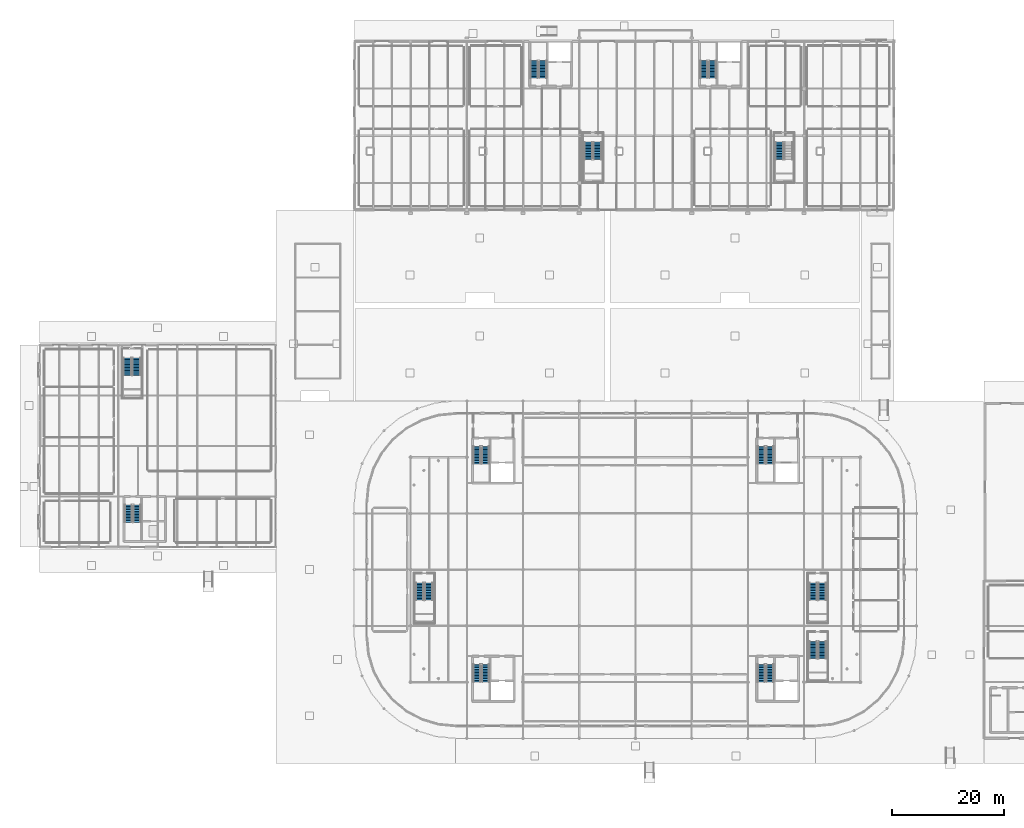
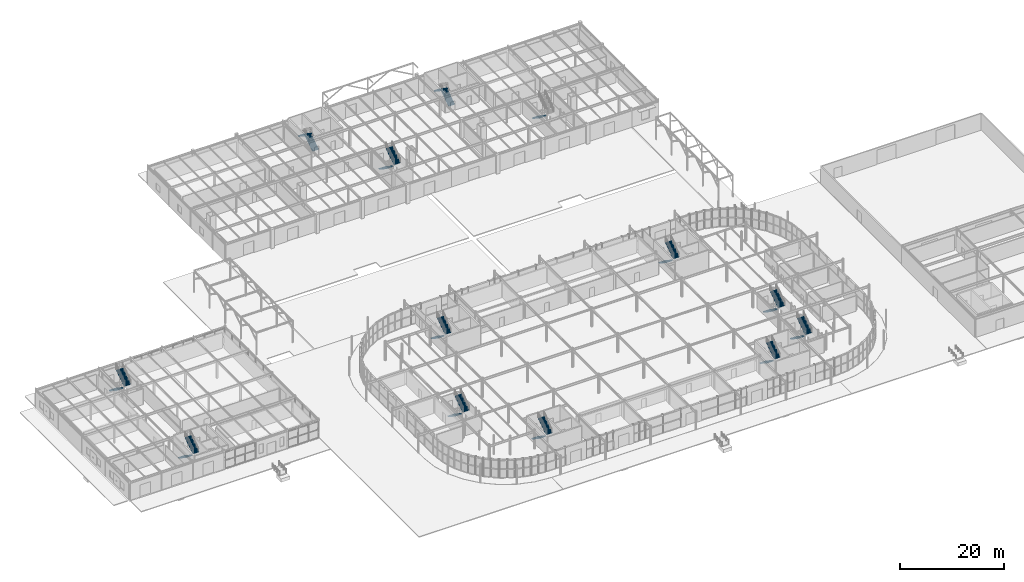
# One storey, part 98 of 119: 25 stair flights, 13 elements without a shape of their own.
"""IFC4 building model written with IfcOpenShell, lengths in metres."""

from ifc_helpers import new_model, si_unit, derived_unit, direction, frame, origin, place, context, subcontext, project, spatial, polyline, outline, extrude, material, type_object, element, aggregate, save


model = new_model("IFC4")

# Units and contexts
model_context = context("Model", 3, precision=1e-05, world=origin(), true_north=direction((0.0, 1.0)))
body_context = subcontext(model_context, "Body", "Model", "MODEL_VIEW")
ifc_project = project(units=[si_unit("LENGTHUNIT", "METRE"), si_unit("AREAUNIT", "SQUARE_METRE"), si_unit("VOLUMEUNIT", "CUBIC_METRE"), si_unit("PLANEANGLEUNIT", "RADIAN"), si_unit("MASSUNIT", "GRAM", prefix="KILO"), derived_unit("THERMALTRANSMITTANCEUNIT", [(si_unit("POWERUNIT", "WATT"), 1), (si_unit("LENGTHUNIT", "METRE"), -2), (si_unit("THERMODYNAMICTEMPERATUREUNIT", "KELVIN"), -1)])], contexts=[model_context])

# Site, building, storey
site_placement = place(None, origin())
site = spatial("IfcSite", under=ifc_project, at=site_placement, CompositionType="ELEMENT")
building_placement = place(site_placement, origin())
building = spatial("IfcBuilding", under=site, at=building_placement, Name="Cinnabar Yard Market Hall", CompositionType="ELEMENT")
storey_placement = place(building_placement, origin())
storey = spatial("IfcBuildingStorey", under=building, at=storey_placement, Name="L00", CompositionType="ELEMENT", Elevation=0.0)

# Stair, stair flights
ifc_material_1 = material(Name="Concrete 40 MPa", Category="concrete")
stair_type_1 = type_object("IfcStairType", Name="ST-CORE", PredefinedType="HALF_TURN_STAIR", material=ifc_material_1)
stair_1_placement = place(storey_placement, origin())
stair_1 = element("IfcStair", 1, at=stair_1_placement, inside=storey, type_object=stair_type_1, Name="L00 Market Hall South-West Core Stair", PredefinedType="HALF_TURN_STAIR")
stair_flight_type_1 = type_object("IfcStairFlightType", Name="STF-CORE", PredefinedType="STRAIGHT", material=ifc_material_1)
stair_flight_1_placement = place(storey_placement, frame((87.81494140625, 27.110107421875, 0.0), z_axis=(0.0, 0.0, 1.0), x_axis=(0.0, -1.0, 0.0)))
stair_flight_1 = element("IfcStairFlight", 2, at=stair_flight_1_placement, type_object=stair_flight_type_1, Name="ST-C1 flight 1", NumberOfRisers=12, NumberOfTreads=11, PredefinedType="STRAIGHT", RiserHeight=0.1875, TreadLength=0.28, context=body_context, shape_type="SweptSolid", body=[
    extrude(outline(polyline([(0.0, 0.0), (0.0, 0.1875), (0.280029296875, 0.1875), (0.280029296875, 0.375), (0.56005859375, 0.375), (0.56005859375, 0.5625), (0.840087890625, 0.5625), (0.840087890625, 0.75), (1.1201171875, 0.75), (1.1201171875, 0.9375), (1.39990234375, 0.9375), (1.39990234375, 1.125), (1.679931640625, 1.125), (1.679931640625, 1.3125), (1.9599609375, 1.3125), (1.9599609375, 1.5), (2.239990234375, 1.5), (2.239990234375, 1.6875), (2.52001953125, 1.6875), (2.52001953125, 1.875), (2.800048828125, 1.875), (2.800048828125, 2.0625), (3.080078125, 2.0625), (3.080078125, 2.25), (3.080078125, 1.882080078125), (0.26953125, 0.0), (0.0, 0.0)])), frame((0.0, 0.675048828125, 0.0), z_axis=(0.0, -1.0, 0.0), x_axis=(1.0, 0.0, 0.0)), (0.0, 0.0, 1.0), 1.35009765625),
])
stair_flight_2_placement = place(storey_placement, frame((89.324951171875, 24.030029296875, 2.25), z_axis=(0.0, 0.0, 1.0), x_axis=(0.0, 1.0, 0.0)))
stair_flight_2 = element("IfcStairFlight", 3, at=stair_flight_2_placement, type_object=stair_flight_type_1, Name="ST-C1 flight 2", NumberOfRisers=12, NumberOfTreads=11, PredefinedType="STRAIGHT", RiserHeight=0.1875, TreadLength=0.28, context=body_context, shape_type="SweptSolid", body=[
    extrude(outline(polyline([(0.0, 0.0), (0.0, 0.1875), (0.280029296875, 0.1875), (0.280029296875, 0.375), (0.56005859375, 0.375), (0.56005859375, 0.5625), (0.840087890625, 0.5625), (0.840087890625, 0.75), (1.1201171875, 0.75), (1.1201171875, 0.9375), (1.39990234375, 0.9375), (1.39990234375, 1.125), (1.679931640625, 1.125), (1.679931640625, 1.3125), (1.9599609375, 1.3125), (1.9599609375, 1.5), (2.239990234375, 1.5), (2.239990234375, 1.6875), (2.52001953125, 1.6875), (2.52001953125, 1.875), (2.800048828125, 1.875), (2.800048828125, 2.0625), (3.080078125, 2.0625), (3.080078125, 2.25), (3.080078125, 1.882080078125), (0.26953125, 0.0), (0.0, 0.0)])), frame((0.0, 0.675048828125, 0.0), z_axis=(0.0, -1.0, 0.0), x_axis=(1.0, 0.0, 0.0)), (0.0, 0.0, 1.0), 1.35009765625),
])
aggregate(stair_1, [stair_flight_1, stair_flight_2])

stair_2_placement = place(storey_placement, origin())
stair_2 = element("IfcStair", 4, at=stair_2_placement, inside=storey, type_object=stair_type_1, Name="L00 Market Hall South-East Core Stair", PredefinedType="HALF_TURN_STAIR")
stair_flight_3_placement = place(storey_placement, frame((138.4150390625, 27.110107421875, 0.0), z_axis=(0.0, 0.0, 1.0), x_axis=(0.0, -1.0, 0.0)))
stair_flight_3 = element("IfcStairFlight", 5, at=stair_flight_3_placement, type_object=stair_flight_type_1, Name="ST-C2 flight 1", NumberOfRisers=12, NumberOfTreads=11, PredefinedType="STRAIGHT", RiserHeight=0.1875, TreadLength=0.28, context=body_context, shape_type="SweptSolid", body=[
    extrude(outline(polyline([(0.0, 0.0), (0.0, 0.1875), (0.280029296875, 0.1875), (0.280029296875, 0.375), (0.56005859375, 0.375), (0.56005859375, 0.5625), (0.840087890625, 0.5625), (0.840087890625, 0.75), (1.1201171875, 0.75), (1.1201171875, 0.9375), (1.39990234375, 0.9375), (1.39990234375, 1.125), (1.679931640625, 1.125), (1.679931640625, 1.3125), (1.9599609375, 1.3125), (1.9599609375, 1.5), (2.239990234375, 1.5), (2.239990234375, 1.6875), (2.52001953125, 1.6875), (2.52001953125, 1.875), (2.800048828125, 1.875), (2.800048828125, 2.0625), (3.080078125, 2.0625), (3.080078125, 2.25), (3.080078125, 1.882080078125), (0.26953125, 0.0), (0.0, 0.0)])), frame((0.0, 0.675048828125, 0.0), z_axis=(0.0, -1.0, 0.0), x_axis=(1.0, 0.0, 0.0)), (0.0, 0.0, 1.0), 1.35009765625),
])
stair_flight_4_placement = place(storey_placement, frame((139.925048828125, 24.030029296875, 2.25), z_axis=(0.0, 0.0, 1.0), x_axis=(0.0, 1.0, 0.0)))
stair_flight_4 = element("IfcStairFlight", 6, at=stair_flight_4_placement, type_object=stair_flight_type_1, Name="ST-C2 flight 2", NumberOfRisers=12, NumberOfTreads=11, PredefinedType="STRAIGHT", RiserHeight=0.1875, TreadLength=0.28, context=body_context, shape_type="SweptSolid", body=[
    extrude(outline(polyline([(0.0, 0.0), (0.0, 0.1875), (0.280029296875, 0.1875), (0.280029296875, 0.375), (0.56005859375, 0.375), (0.56005859375, 0.5625), (0.840087890625, 0.5625), (0.840087890625, 0.75), (1.1201171875, 0.75), (1.1201171875, 0.9375), (1.39990234375, 0.9375), (1.39990234375, 1.125), (1.679931640625, 1.125), (1.679931640625, 1.3125), (1.9599609375, 1.3125), (1.9599609375, 1.5), (2.239990234375, 1.5), (2.239990234375, 1.6875), (2.52001953125, 1.6875), (2.52001953125, 1.875), (2.800048828125, 1.875), (2.800048828125, 2.0625), (3.080078125, 2.0625), (3.080078125, 2.25), (3.080078125, 1.882080078125), (0.26953125, 0.0), (0.0, 0.0)])), frame((0.0, 0.675048828125, 0.0), z_axis=(0.0, -1.0, 0.0), x_axis=(1.0, 0.0, 0.0)), (0.0, 0.0, 1.0), 1.35009765625),
])
aggregate(stair_2, [stair_flight_3, stair_flight_4])

stair_3_placement = place(storey_placement, origin())
stair_3 = element("IfcStair", 7, at=stair_3_placement, inside=storey, type_object=stair_type_1, Name="L00 Market Hall North-West Core Stair", PredefinedType="HALF_TURN_STAIR")
stair_flight_5_placement = place(storey_placement, frame((87.81494140625, 65.909912109375, 0.0), z_axis=(0.0, 0.0, 1.0), x_axis=(0.0, -1.0, 0.0)))
stair_flight_5 = element("IfcStairFlight", 8, at=stair_flight_5_placement, type_object=stair_flight_type_1, Name="ST-C3 flight 1", NumberOfRisers=12, NumberOfTreads=11, PredefinedType="STRAIGHT", RiserHeight=0.1875, TreadLength=0.28, context=body_context, shape_type="SweptSolid", body=[
    extrude(outline(polyline([(0.0, 0.0), (0.0, 0.1875), (0.280029296875, 0.1875), (0.280029296875, 0.375), (0.56005859375, 0.375), (0.56005859375, 0.5625), (0.840087890625, 0.5625), (0.840087890625, 0.75), (1.1201171875, 0.75), (1.1201171875, 0.9375), (1.39990234375, 0.9375), (1.39990234375, 1.125), (1.679931640625, 1.125), (1.679931640625, 1.3125), (1.9599609375, 1.3125), (1.9599609375, 1.5), (2.239990234375, 1.5), (2.239990234375, 1.6875), (2.52001953125, 1.6875), (2.52001953125, 1.875), (2.800048828125, 1.875), (2.800048828125, 2.0625), (3.080078125, 2.0625), (3.080078125, 2.25), (3.080078125, 1.882080078125), (0.26953125, 0.0), (0.0, 0.0)])), frame((0.0, 0.675048828125, 0.0), z_axis=(0.0, -1.0, 0.0), x_axis=(1.0, 0.0, 0.0)), (0.0, 0.0, 1.0), 1.35009765625),
])
stair_flight_6_placement = place(storey_placement, frame((89.324951171875, 62.830078125, 2.25), z_axis=(0.0, 0.0, 1.0), x_axis=(0.0, 1.0, 0.0)))
stair_flight_6 = element("IfcStairFlight", 9, at=stair_flight_6_placement, type_object=stair_flight_type_1, Name="ST-C3 flight 2", NumberOfRisers=12, NumberOfTreads=11, PredefinedType="STRAIGHT", RiserHeight=0.1875, TreadLength=0.28, context=body_context, shape_type="SweptSolid", body=[
    extrude(outline(polyline([(0.0, 0.0), (0.0, 0.1875), (0.280029296875, 0.1875), (0.280029296875, 0.375), (0.56005859375, 0.375), (0.56005859375, 0.5625), (0.840087890625, 0.5625), (0.840087890625, 0.75), (1.1201171875, 0.75), (1.1201171875, 0.9375), (1.39990234375, 0.9375), (1.39990234375, 1.125), (1.679931640625, 1.125), (1.679931640625, 1.3125), (1.9599609375, 1.3125), (1.9599609375, 1.5), (2.239990234375, 1.5), (2.239990234375, 1.6875), (2.52001953125, 1.6875), (2.52001953125, 1.875), (2.800048828125, 1.875), (2.800048828125, 2.0625), (3.080078125, 2.0625), (3.080078125, 2.25), (3.080078125, 1.882080078125), (0.26953125, 0.0), (0.0, 0.0)])), frame((0.0, 0.675048828125, 0.0), z_axis=(0.0, -1.0, 0.0), x_axis=(1.0, 0.0, 0.0)), (0.0, 0.0, 1.0), 1.35009765625),
])
aggregate(stair_3, [stair_flight_5, stair_flight_6])

stair_4_placement = place(storey_placement, origin())
stair_4 = element("IfcStair", 10, at=stair_4_placement, inside=storey, type_object=stair_type_1, Name="L00 Food Court Pavilion Core Stair", PredefinedType="HALF_TURN_STAIR")
stair_flight_7_placement = place(storey_placement, frame((25.81494140625, 55.510009765625, 0.0), z_axis=(0.0, 0.0, 1.0), x_axis=(0.0, -1.0, 0.0)))
stair_flight_7 = element("IfcStairFlight", 11, at=stair_flight_7_placement, type_object=stair_flight_type_1, Name="ST-C4 flight 1", NumberOfRisers=12, NumberOfTreads=11, PredefinedType="STRAIGHT", RiserHeight=0.1875, TreadLength=0.28, context=body_context, shape_type="SweptSolid", body=[
    extrude(outline(polyline([(0.0, 0.0), (0.0, 0.1875), (0.280029296875, 0.1875), (0.280029296875, 0.375), (0.56005859375, 0.375), (0.56005859375, 0.5625), (0.840087890625, 0.5625), (0.840087890625, 0.75), (1.1201171875, 0.75), (1.1201171875, 0.9375), (1.39990234375, 0.9375), (1.39990234375, 1.125), (1.679931640625, 1.125), (1.679931640625, 1.3125), (1.9599609375, 1.3125), (1.9599609375, 1.5), (2.239990234375, 1.5), (2.239990234375, 1.6875), (2.52001953125, 1.6875), (2.52001953125, 1.875), (2.800048828125, 1.875), (2.800048828125, 2.0625), (3.080078125, 2.0625), (3.080078125, 2.25), (3.080078125, 1.882080078125), (0.26953125, 0.0), (0.0, 0.0)])), frame((0.0, 0.675048828125, 0.0), z_axis=(0.0, -1.0, 0.0), x_axis=(1.0, 0.0, 0.0)), (0.0, 0.0, 1.0), 1.35009765625),
])
stair_flight_8_placement = place(storey_placement, frame((27.324951171875, 52.429931640625, 2.25), z_axis=(0.0, 0.0, 1.0), x_axis=(0.0, 1.0, 0.0)))
stair_flight_8 = element("IfcStairFlight", 12, at=stair_flight_8_placement, type_object=stair_flight_type_1, Name="ST-C4 flight 2", NumberOfRisers=12, NumberOfTreads=11, PredefinedType="STRAIGHT", RiserHeight=0.1875, TreadLength=0.28, context=body_context, shape_type="SweptSolid", body=[
    extrude(outline(polyline([(0.0, 0.0), (0.0, 0.1875), (0.280029296875, 0.1875), (0.280029296875, 0.375), (0.56005859375, 0.375), (0.56005859375, 0.5625), (0.840087890625, 0.5625), (0.840087890625, 0.75), (1.1201171875, 0.75), (1.1201171875, 0.9375), (1.39990234375, 0.9375), (1.39990234375, 1.125), (1.679931640625, 1.125), (1.679931640625, 1.3125), (1.9599609375, 1.3125), (1.9599609375, 1.5), (2.239990234375, 1.5), (2.239990234375, 1.6875), (2.52001953125, 1.6875), (2.52001953125, 1.875), (2.800048828125, 1.875), (2.800048828125, 2.0625), (3.080078125, 2.0625), (3.080078125, 2.25), (3.080078125, 1.882080078125), (0.26953125, 0.0), (0.0, 0.0)])), frame((0.0, 0.675048828125, 0.0), z_axis=(0.0, -1.0, 0.0), x_axis=(1.0, 0.0, 0.0)), (0.0, 0.0, 1.0), 1.35009765625),
])
aggregate(stair_4, [stair_flight_7, stair_flight_8])

stair_5_placement = place(storey_placement, origin())
stair_5 = element("IfcStair", 13, at=stair_5_placement, inside=storey, type_object=stair_type_1, Name="L00 Cooking School West Core Stair", PredefinedType="HALF_TURN_STAIR")
stair_flight_9_placement = place(storey_placement, frame((99.52490234375, 131.489990234375, 0.0), z_axis=(0.0, 0.0, 1.0), x_axis=(0.0, 1.0, 0.0)))
stair_flight_9 = element("IfcStairFlight", 14, at=stair_flight_9_placement, type_object=stair_flight_type_1, Name="ST-C5 flight 1", NumberOfRisers=12, NumberOfTreads=11, PredefinedType="STRAIGHT", RiserHeight=0.1875, TreadLength=0.28, context=body_context, shape_type="SweptSolid", body=[
    extrude(outline(polyline([(0.0, 0.0), (0.0, 0.1875), (0.280029296875, 0.1875), (0.280029296875, 0.375), (0.56005859375, 0.375), (0.56005859375, 0.5625), (0.840087890625, 0.5625), (0.840087890625, 0.75), (1.1201171875, 0.75), (1.1201171875, 0.9375), (1.39990234375, 0.9375), (1.39990234375, 1.125), (1.679931640625, 1.125), (1.679931640625, 1.3125), (1.9599609375, 1.3125), (1.9599609375, 1.5), (2.239990234375, 1.5), (2.239990234375, 1.6875), (2.52001953125, 1.6875), (2.52001953125, 1.875), (2.800048828125, 1.875), (2.800048828125, 2.0625), (3.080078125, 2.0625), (3.080078125, 2.25), (3.080078125, 1.882080078125), (0.26953125, 0.0), (0.0, 0.0)])), frame((0.0, 0.675048828125, 0.0), z_axis=(0.0, -1.0, 0.0), x_axis=(1.0, 0.0, 0.0)), (0.0, 0.0, 1.0), 1.35009765625),
])
stair_flight_10_placement = place(storey_placement, frame((98.014892578125, 134.570068359375, 2.25), z_axis=(0.0, 0.0, 1.0), x_axis=(0.0, -1.0, 0.0)))
stair_flight_10 = element("IfcStairFlight", 15, at=stair_flight_10_placement, type_object=stair_flight_type_1, Name="ST-C5 flight 2", NumberOfRisers=12, NumberOfTreads=11, PredefinedType="STRAIGHT", RiserHeight=0.1875, TreadLength=0.28, context=body_context, shape_type="SweptSolid", body=[
    extrude(outline(polyline([(0.0, 0.0), (0.0, 0.1875), (0.280029296875, 0.1875), (0.280029296875, 0.375), (0.56005859375, 0.375), (0.56005859375, 0.5625), (0.840087890625, 0.5625), (0.840087890625, 0.75), (1.1201171875, 0.75), (1.1201171875, 0.9375), (1.39990234375, 0.9375), (1.39990234375, 1.125), (1.679931640625, 1.125), (1.679931640625, 1.3125), (1.9599609375, 1.3125), (1.9599609375, 1.5), (2.239990234375, 1.5), (2.239990234375, 1.6875), (2.52001953125, 1.6875), (2.52001953125, 1.875), (2.800048828125, 1.875), (2.800048828125, 2.0625), (3.080078125, 2.0625), (3.080078125, 2.25), (3.080078125, 1.882080078125), (0.26953125, 0.0), (0.0, 0.0)])), frame((0.0, 0.675048828125, 0.0), z_axis=(0.0, -1.0, 0.0), x_axis=(1.0, 0.0, 0.0)), (0.0, 0.0, 1.0), 1.35009765625),
])
aggregate(stair_5, [stair_flight_9, stair_flight_10])

stair_6_placement = place(storey_placement, origin())
stair_6 = element("IfcStair", 16, at=stair_6_placement, inside=storey, type_object=stair_type_1, Name="L00 Cooking School East Core Stair", PredefinedType="HALF_TURN_STAIR")
stair_flight_11_placement = place(storey_placement, frame((129.72509765625, 131.489990234375, 0.0), z_axis=(0.0, 0.0, 1.0), x_axis=(0.0, 1.0, 0.0)))
stair_flight_11 = element("IfcStairFlight", 17, at=stair_flight_11_placement, type_object=stair_flight_type_1, Name="ST-C6 flight 1", NumberOfRisers=12, NumberOfTreads=11, PredefinedType="STRAIGHT", RiserHeight=0.1875, TreadLength=0.28, context=body_context, shape_type="SweptSolid", body=[
    extrude(outline(polyline([(0.0, 0.0), (0.0, 0.1875), (0.280029296875, 0.1875), (0.280029296875, 0.375), (0.56005859375, 0.375), (0.56005859375, 0.5625), (0.840087890625, 0.5625), (0.840087890625, 0.75), (1.1201171875, 0.75), (1.1201171875, 0.9375), (1.39990234375, 0.9375), (1.39990234375, 1.125), (1.679931640625, 1.125), (1.679931640625, 1.3125), (1.9599609375, 1.3125), (1.9599609375, 1.5), (2.239990234375, 1.5), (2.239990234375, 1.6875), (2.52001953125, 1.6875), (2.52001953125, 1.875), (2.800048828125, 1.875), (2.800048828125, 2.0625), (3.080078125, 2.0625), (3.080078125, 2.25), (3.080078125, 1.882080078125), (0.26953125, 0.0), (0.0, 0.0)])), frame((0.0, 0.675048828125, 0.0), z_axis=(0.0, -1.0, 0.0), x_axis=(1.0, 0.0, 0.0)), (0.0, 0.0, 1.0), 1.35009765625),
])
stair_flight_12_placement = place(storey_placement, frame((128.215087890625, 134.570068359375, 2.25), z_axis=(0.0, 0.0, 1.0), x_axis=(0.0, -1.0, 0.0)))
stair_flight_12 = element("IfcStairFlight", 18, at=stair_flight_12_placement, type_object=stair_flight_type_1, Name="ST-C6 flight 2", NumberOfRisers=12, NumberOfTreads=11, PredefinedType="STRAIGHT", RiserHeight=0.1875, TreadLength=0.28, context=body_context, shape_type="SweptSolid", body=[
    extrude(outline(polyline([(0.0, 0.0), (0.0, 0.1875), (0.280029296875, 0.1875), (0.280029296875, 0.375), (0.56005859375, 0.375), (0.56005859375, 0.5625), (0.840087890625, 0.5625), (0.840087890625, 0.75), (1.1201171875, 0.75), (1.1201171875, 0.9375), (1.39990234375, 0.9375), (1.39990234375, 1.125), (1.679931640625, 1.125), (1.679931640625, 1.3125), (1.9599609375, 1.3125), (1.9599609375, 1.5), (2.239990234375, 1.5), (2.239990234375, 1.6875), (2.52001953125, 1.6875), (2.52001953125, 1.875), (2.800048828125, 1.875), (2.800048828125, 2.0625), (3.080078125, 2.0625), (3.080078125, 2.25), (3.080078125, 1.882080078125), (0.26953125, 0.0), (0.0, 0.0)])), frame((0.0, 0.675048828125, 0.0), z_axis=(0.0, -1.0, 0.0), x_axis=(1.0, 0.0, 0.0)), (0.0, 0.0, 1.0), 1.35009765625),
])
aggregate(stair_6, [stair_flight_11, stair_flight_12])

stair_7_placement = place(storey_placement, origin())
stair_7 = element("IfcStair", 19, at=stair_7_placement, inside=storey, type_object=stair_type_1, Name="L00 Cold-Chain Goods Core Stair", PredefinedType="HALF_TURN_STAIR")
stair_flight_13_placement = place(storey_placement, frame((138.4150390625, 65.909912109375, 0.0), z_axis=(0.0, 0.0, 1.0), x_axis=(0.0, -1.0, 0.0)))
stair_flight_13 = element("IfcStairFlight", 20, at=stair_flight_13_placement, type_object=stair_flight_type_1, Name="ST-C7 flight 1", NumberOfRisers=12, NumberOfTreads=11, PredefinedType="STRAIGHT", RiserHeight=0.1875, TreadLength=0.28, context=body_context, shape_type="SweptSolid", body=[
    extrude(outline(polyline([(0.0, 0.0), (0.0, 0.1875), (0.280029296875, 0.1875), (0.280029296875, 0.375), (0.56005859375, 0.375), (0.56005859375, 0.5625), (0.840087890625, 0.5625), (0.840087890625, 0.75), (1.1201171875, 0.75), (1.1201171875, 0.9375), (1.39990234375, 0.9375), (1.39990234375, 1.125), (1.679931640625, 1.125), (1.679931640625, 1.3125), (1.9599609375, 1.3125), (1.9599609375, 1.5), (2.239990234375, 1.5), (2.239990234375, 1.6875), (2.52001953125, 1.6875), (2.52001953125, 1.875), (2.800048828125, 1.875), (2.800048828125, 2.0625), (3.080078125, 2.0625), (3.080078125, 2.25), (3.080078125, 1.882080078125), (0.26953125, 0.0), (0.0, 0.0)])), frame((0.0, 0.675048828125, 0.0), z_axis=(0.0, -1.0, 0.0), x_axis=(1.0, 0.0, 0.0)), (0.0, 0.0, 1.0), 1.35009765625),
])
stair_flight_14_placement = place(storey_placement, frame((139.925048828125, 62.830078125, 2.25), z_axis=(0.0, 0.0, 1.0), x_axis=(0.0, 1.0, 0.0)))
stair_flight_14 = element("IfcStairFlight", 21, at=stair_flight_14_placement, type_object=stair_flight_type_1, Name="ST-C7 flight 2", NumberOfRisers=12, NumberOfTreads=11, PredefinedType="STRAIGHT", RiserHeight=0.1875, TreadLength=0.28, context=body_context, shape_type="SweptSolid", body=[
    extrude(outline(polyline([(0.0, 0.0), (0.0, 0.1875), (0.280029296875, 0.1875), (0.280029296875, 0.375), (0.56005859375, 0.375), (0.56005859375, 0.5625), (0.840087890625, 0.5625), (0.840087890625, 0.75), (1.1201171875, 0.75), (1.1201171875, 0.9375), (1.39990234375, 0.9375), (1.39990234375, 1.125), (1.679931640625, 1.125), (1.679931640625, 1.3125), (1.9599609375, 1.3125), (1.9599609375, 1.5), (2.239990234375, 1.5), (2.239990234375, 1.6875), (2.52001953125, 1.6875), (2.52001953125, 1.875), (2.800048828125, 1.875), (2.800048828125, 2.0625), (3.080078125, 2.0625), (3.080078125, 2.25), (3.080078125, 1.882080078125), (0.26953125, 0.0), (0.0, 0.0)])), frame((0.0, 0.675048828125, 0.0), z_axis=(0.0, -1.0, 0.0), x_axis=(1.0, 0.0, 0.0)), (0.0, 0.0, 1.0), 1.35009765625),
])
aggregate(stair_7, [stair_flight_13, stair_flight_14])

ifc_material_2 = material(Name="Spotted gum timber treads on steel Grade 350 (350 MPa)", Category="steel")
stair_type_2 = type_object("IfcStairType", Name="ST-FEAT", PredefinedType="HALF_TURN_STAIR", material=ifc_material_2)
stair_8_placement = place(storey_placement, origin())
stair_8 = element("IfcStair", 22, at=stair_8_placement, inside=storey, type_object=stair_type_2, Name="L00 Feature Stair ST-F1", PredefinedType="HALF_TURN_STAIR")
stair_flight_type_2 = type_object("IfcStairFlightType", Name="STF-FEAT", PredefinedType="STRAIGHT", material=ifc_material_2)
stair_flight_15_placement = place(storey_placement, frame((77.625, 41.64990234375, 0.0), z_axis=(0.0, 0.0, 1.0), x_axis=(0.0, -1.0, 0.0)))
stair_flight_15 = element("IfcStairFlight", 23, at=stair_flight_15_placement, type_object=stair_flight_type_2, Name="ST-F1 flight 1", NumberOfRisers=12, NumberOfTreads=11, PredefinedType="STRAIGHT", RiserHeight=0.1875, TreadLength=0.28, context=body_context, shape_type="SweptSolid", body=[
    extrude(outline(polyline([(0.0, 0.0), (0.0, 0.1875), (0.280029296875, 0.1875), (0.280029296875, 0.375), (0.56005859375, 0.375), (0.56005859375, 0.5625), (0.840087890625, 0.5625), (0.840087890625, 0.75), (1.1201171875, 0.75), (1.1201171875, 0.9375), (1.39990234375, 0.9375), (1.39990234375, 1.125), (1.679931640625, 1.125), (1.679931640625, 1.3125), (1.9599609375, 1.3125), (1.9599609375, 1.5), (2.239990234375, 1.5), (2.239990234375, 1.6875), (2.52001953125, 1.6875), (2.52001953125, 1.875), (2.800048828125, 1.875), (2.800048828125, 2.0625), (3.080078125, 2.0625), (3.080078125, 2.25), (3.080078125, 1.882080078125), (0.26953125, 0.0), (0.0, 0.0)])), frame((0.0, 0.72509765625, 0.0), z_axis=(0.0, -1.0, 0.0), x_axis=(1.0, 0.0, 0.0)), (0.0, 0.0, 1.0), 1.449951171875),
])
stair_flight_16_placement = place(storey_placement, frame((79.235107421875, 38.570068359375, 2.25), z_axis=(0.0, 0.0, 1.0), x_axis=(0.0, 1.0, 0.0)))
stair_flight_16 = element("IfcStairFlight", 24, at=stair_flight_16_placement, type_object=stair_flight_type_2, Name="ST-F1 flight 2", NumberOfRisers=12, NumberOfTreads=11, PredefinedType="STRAIGHT", RiserHeight=0.1875, TreadLength=0.28, context=body_context, shape_type="SweptSolid", body=[
    extrude(outline(polyline([(0.0, 0.0), (0.0, 0.1875), (0.280029296875, 0.1875), (0.280029296875, 0.375), (0.56005859375, 0.375), (0.56005859375, 0.5625), (0.840087890625, 0.5625), (0.840087890625, 0.75), (1.1201171875, 0.75), (1.1201171875, 0.9375), (1.39990234375, 0.9375), (1.39990234375, 1.125), (1.679931640625, 1.125), (1.679931640625, 1.3125), (1.9599609375, 1.3125), (1.9599609375, 1.5), (2.239990234375, 1.5), (2.239990234375, 1.6875), (2.52001953125, 1.6875), (2.52001953125, 1.875), (2.800048828125, 1.875), (2.800048828125, 2.0625), (3.080078125, 2.0625), (3.080078125, 2.25), (3.080078125, 1.882080078125), (0.26953125, 0.0), (0.0, 0.0)])), frame((0.0, 0.72509765625, 0.0), z_axis=(0.0, -1.0, 0.0), x_axis=(1.0, 0.0, 0.0)), (0.0, 0.0, 1.0), 1.449951171875),
])
aggregate(stair_8, [stair_flight_15, stair_flight_16])

stair_9_placement = place(storey_placement, origin())
stair_9 = element("IfcStair", 25, at=stair_9_placement, inside=storey, type_object=stair_type_2, Name="L00 Feature Stair ST-F2", PredefinedType="HALF_TURN_STAIR")
stair_flight_17_placement = place(storey_placement, frame((147.625, 41.64990234375, 0.0), z_axis=(0.0, 0.0, 1.0), x_axis=(0.0, -1.0, 0.0)))
stair_flight_17 = element("IfcStairFlight", 26, at=stair_flight_17_placement, type_object=stair_flight_type_2, Name="ST-F2 flight 1", NumberOfRisers=12, NumberOfTreads=11, PredefinedType="STRAIGHT", RiserHeight=0.1875, TreadLength=0.28, context=body_context, shape_type="SweptSolid", body=[
    extrude(outline(polyline([(0.0, 0.0), (0.0, 0.1875), (0.280029296875, 0.1875), (0.280029296875, 0.375), (0.56005859375, 0.375), (0.56005859375, 0.5625), (0.840087890625, 0.5625), (0.840087890625, 0.75), (1.1201171875, 0.75), (1.1201171875, 0.9375), (1.39990234375, 0.9375), (1.39990234375, 1.125), (1.679931640625, 1.125), (1.679931640625, 1.3125), (1.9599609375, 1.3125), (1.9599609375, 1.5), (2.239990234375, 1.5), (2.239990234375, 1.6875), (2.52001953125, 1.6875), (2.52001953125, 1.875), (2.800048828125, 1.875), (2.800048828125, 2.0625), (3.080078125, 2.0625), (3.080078125, 2.25), (3.080078125, 1.882080078125), (0.26953125, 0.0), (0.0, 0.0)])), frame((0.0, 0.72509765625, 0.0), z_axis=(0.0, -1.0, 0.0), x_axis=(1.0, 0.0, 0.0)), (0.0, 0.0, 1.0), 1.449951171875),
])
stair_flight_18_placement = place(storey_placement, frame((149.235107421875, 38.570068359375, 2.25), z_axis=(0.0, 0.0, 1.0), x_axis=(0.0, 1.0, 0.0)))
stair_flight_18 = element("IfcStairFlight", 27, at=stair_flight_18_placement, type_object=stair_flight_type_2, Name="ST-F2 flight 2", NumberOfRisers=12, NumberOfTreads=11, PredefinedType="STRAIGHT", RiserHeight=0.1875, TreadLength=0.28, context=body_context, shape_type="SweptSolid", body=[
    extrude(outline(polyline([(0.0, 0.0), (0.0, 0.1875), (0.280029296875, 0.1875), (0.280029296875, 0.375), (0.56005859375, 0.375), (0.56005859375, 0.5625), (0.840087890625, 0.5625), (0.840087890625, 0.75), (1.1201171875, 0.75), (1.1201171875, 0.9375), (1.39990234375, 0.9375), (1.39990234375, 1.125), (1.679931640625, 1.125), (1.679931640625, 1.3125), (1.9599609375, 1.3125), (1.9599609375, 1.5), (2.239990234375, 1.5), (2.239990234375, 1.6875), (2.52001953125, 1.6875), (2.52001953125, 1.875), (2.800048828125, 1.875), (2.800048828125, 2.0625), (3.080078125, 2.0625), (3.080078125, 2.25), (3.080078125, 1.882080078125), (0.26953125, 0.0), (0.0, 0.0)])), frame((0.0, 0.72509765625, 0.0), z_axis=(0.0, -1.0, 0.0), x_axis=(1.0, 0.0, 0.0)), (0.0, 0.0, 1.0), 1.449951171875),
])
aggregate(stair_9, [stair_flight_17, stair_flight_18])

stair_10_placement = place(storey_placement, origin())
stair_10 = element("IfcStair", 28, at=stair_10_placement, inside=storey, type_object=stair_type_2, Name="L00 Feature Stair ST-F3", PredefinedType="HALF_TURN_STAIR")
stair_flight_19_placement = place(storey_placement, frame((25.625, 81.64990234375, 0.0), z_axis=(0.0, 0.0, 1.0), x_axis=(0.0, -1.0, 0.0)))
stair_flight_19 = element("IfcStairFlight", 29, at=stair_flight_19_placement, type_object=stair_flight_type_2, Name="ST-F3 flight 1", NumberOfRisers=12, NumberOfTreads=11, PredefinedType="STRAIGHT", RiserHeight=0.1875, TreadLength=0.28, context=body_context, shape_type="SweptSolid", body=[
    extrude(outline(polyline([(0.0, 0.0), (0.0, 0.1875), (0.280029296875, 0.1875), (0.280029296875, 0.375), (0.56005859375, 0.375), (0.56005859375, 0.5625), (0.840087890625, 0.5625), (0.840087890625, 0.75), (1.1201171875, 0.75), (1.1201171875, 0.9375), (1.39990234375, 0.9375), (1.39990234375, 1.125), (1.679931640625, 1.125), (1.679931640625, 1.3125), (1.9599609375, 1.3125), (1.9599609375, 1.5), (2.239990234375, 1.5), (2.239990234375, 1.6875), (2.52001953125, 1.6875), (2.52001953125, 1.875), (2.800048828125, 1.875), (2.800048828125, 2.0625), (3.080078125, 2.0625), (3.080078125, 2.25), (3.080078125, 1.882080078125), (0.26953125, 0.0), (0.0, 0.0)])), frame((0.0, 0.72509765625, 0.0), z_axis=(0.0, -1.0, 0.0), x_axis=(1.0, 0.0, 0.0)), (0.0, 0.0, 1.0), 1.449951171875),
])
stair_flight_20_placement = place(storey_placement, frame((27.235107421875, 78.570068359375, 2.25), z_axis=(0.0, 0.0, 1.0), x_axis=(0.0, 1.0, 0.0)))
stair_flight_20 = element("IfcStairFlight", 30, at=stair_flight_20_placement, type_object=stair_flight_type_2, Name="ST-F3 flight 2", NumberOfRisers=12, NumberOfTreads=11, PredefinedType="STRAIGHT", RiserHeight=0.1875, TreadLength=0.28, context=body_context, shape_type="SweptSolid", body=[
    extrude(outline(polyline([(0.0, 0.0), (0.0, 0.1875), (0.280029296875, 0.1875), (0.280029296875, 0.375), (0.56005859375, 0.375), (0.56005859375, 0.5625), (0.840087890625, 0.5625), (0.840087890625, 0.75), (1.1201171875, 0.75), (1.1201171875, 0.9375), (1.39990234375, 0.9375), (1.39990234375, 1.125), (1.679931640625, 1.125), (1.679931640625, 1.3125), (1.9599609375, 1.3125), (1.9599609375, 1.5), (2.239990234375, 1.5), (2.239990234375, 1.6875), (2.52001953125, 1.6875), (2.52001953125, 1.875), (2.800048828125, 1.875), (2.800048828125, 2.0625), (3.080078125, 2.0625), (3.080078125, 2.25), (3.080078125, 1.882080078125), (0.26953125, 0.0), (0.0, 0.0)])), frame((0.0, 0.72509765625, 0.0), z_axis=(0.0, -1.0, 0.0), x_axis=(1.0, 0.0, 0.0)), (0.0, 0.0, 1.0), 1.449951171875),
])
aggregate(stair_10, [stair_flight_19, stair_flight_20])

stair_11_placement = place(storey_placement, origin())
stair_11 = element("IfcStair", 31, at=stair_11_placement, inside=storey, type_object=stair_type_2, Name="L00 Feature Stair ST-F4", PredefinedType="HALF_TURN_STAIR")
stair_flight_21_placement = place(storey_placement, frame((107.625, 120.050048828125, 0.0), z_axis=(0.0, 0.0, 1.0), x_axis=(0.0, -1.0, 0.0)))
stair_flight_21 = element("IfcStairFlight", 32, at=stair_flight_21_placement, type_object=stair_flight_type_2, Name="ST-F4 flight 1", NumberOfRisers=12, NumberOfTreads=11, PredefinedType="STRAIGHT", RiserHeight=0.1875, TreadLength=0.28, context=body_context, shape_type="SweptSolid", body=[
    extrude(outline(polyline([(0.0, 0.0), (0.0, 0.1875), (0.280029296875, 0.1875), (0.280029296875, 0.375), (0.56005859375, 0.375), (0.56005859375, 0.5625), (0.840087890625, 0.5625), (0.840087890625, 0.75), (1.1201171875, 0.75), (1.1201171875, 0.9375), (1.39990234375, 0.9375), (1.39990234375, 1.125), (1.679931640625, 1.125), (1.679931640625, 1.3125), (1.9599609375, 1.3125), (1.9599609375, 1.5), (2.239990234375, 1.5), (2.239990234375, 1.6875), (2.52001953125, 1.6875), (2.52001953125, 1.875), (2.800048828125, 1.875), (2.800048828125, 2.0625), (3.080078125, 2.0625), (3.080078125, 2.25), (3.080078125, 1.882080078125), (0.26953125, 0.0), (0.0, 0.0)])), frame((0.0, 0.72509765625, 0.0), z_axis=(0.0, -1.0, 0.0), x_axis=(1.0, 0.0, 0.0)), (0.0, 0.0, 1.0), 1.449951171875),
])
stair_flight_22_placement = place(storey_placement, frame((109.235107421875, 116.969970703125, 2.25), z_axis=(0.0, 0.0, 1.0), x_axis=(0.0, 1.0, 0.0)))
stair_flight_22 = element("IfcStairFlight", 33, at=stair_flight_22_placement, type_object=stair_flight_type_2, Name="ST-F4 flight 2", NumberOfRisers=12, NumberOfTreads=11, PredefinedType="STRAIGHT", RiserHeight=0.1875, TreadLength=0.28, context=body_context, shape_type="SweptSolid", body=[
    extrude(outline(polyline([(0.0, 0.0), (0.0, 0.1875), (0.280029296875, 0.1875), (0.280029296875, 0.375), (0.56005859375, 0.375), (0.56005859375, 0.5625), (0.840087890625, 0.5625), (0.840087890625, 0.75), (1.1201171875, 0.75), (1.1201171875, 0.9375), (1.39990234375, 0.9375), (1.39990234375, 1.125), (1.679931640625, 1.125), (1.679931640625, 1.3125), (1.9599609375, 1.3125), (1.9599609375, 1.5), (2.239990234375, 1.5), (2.239990234375, 1.6875), (2.52001953125, 1.6875), (2.52001953125, 1.875), (2.800048828125, 1.875), (2.800048828125, 2.0625), (3.080078125, 2.0625), (3.080078125, 2.25), (3.080078125, 1.882080078125), (0.26953125, 0.0), (0.0, 0.0)])), frame((0.0, 0.72509765625, 0.0), z_axis=(0.0, -1.0, 0.0), x_axis=(1.0, 0.0, 0.0)), (0.0, 0.0, 1.0), 1.449951171875),
])
aggregate(stair_11, [stair_flight_21, stair_flight_22])

stair_12_placement = place(storey_placement, origin())
stair_12 = element("IfcStair", 34, at=stair_12_placement, inside=storey, type_object=stair_type_2, Name="L00 Feature Stair ST-F5", PredefinedType="HALF_TURN_STAIR")
stair_flight_23_placement = place(storey_placement, frame((147.625, 31.25, 0.0), z_axis=(0.0, 0.0, 1.0), x_axis=(0.0, -1.0, 0.0)))
stair_flight_23 = element("IfcStairFlight", 35, at=stair_flight_23_placement, type_object=stair_flight_type_2, Name="ST-F5 flight 1", NumberOfRisers=12, NumberOfTreads=11, PredefinedType="STRAIGHT", RiserHeight=0.1875, TreadLength=0.28, context=body_context, shape_type="SweptSolid", body=[
    extrude(outline(polyline([(0.0, 0.0), (0.0, 0.1875), (0.280029296875, 0.1875), (0.280029296875, 0.375), (0.56005859375, 0.375), (0.56005859375, 0.5625), (0.840087890625, 0.5625), (0.840087890625, 0.75), (1.1201171875, 0.75), (1.1201171875, 0.9375), (1.39990234375, 0.9375), (1.39990234375, 1.125), (1.679931640625, 1.125), (1.679931640625, 1.3125), (1.9599609375, 1.3125), (1.9599609375, 1.5), (2.239990234375, 1.5), (2.239990234375, 1.6875), (2.52001953125, 1.6875), (2.52001953125, 1.875), (2.800048828125, 1.875), (2.800048828125, 2.0625), (3.080078125, 2.0625), (3.080078125, 2.25), (3.080078125, 1.882080078125), (0.26953125, 0.0), (0.0, 0.0)])), frame((0.0, 0.72509765625, 0.0), z_axis=(0.0, -1.0, 0.0), x_axis=(1.0, 0.0, 0.0)), (0.0, 0.0, 1.0), 1.449951171875),
])
stair_flight_24_placement = place(storey_placement, frame((149.235107421875, 28.169921875, 2.25), z_axis=(0.0, 0.0, 1.0), x_axis=(0.0, 1.0, 0.0)))
stair_flight_24 = element("IfcStairFlight", 36, at=stair_flight_24_placement, type_object=stair_flight_type_2, Name="ST-F5 flight 2", NumberOfRisers=12, NumberOfTreads=11, PredefinedType="STRAIGHT", RiserHeight=0.1875, TreadLength=0.28, context=body_context, shape_type="SweptSolid", body=[
    extrude(outline(polyline([(0.0, 0.0), (0.0, 0.1875), (0.280029296875, 0.1875), (0.280029296875, 0.375), (0.56005859375, 0.375), (0.56005859375, 0.5625), (0.840087890625, 0.5625), (0.840087890625, 0.75), (1.1201171875, 0.75), (1.1201171875, 0.9375), (1.39990234375, 0.9375), (1.39990234375, 1.125), (1.679931640625, 1.125), (1.679931640625, 1.3125), (1.9599609375, 1.3125), (1.9599609375, 1.5), (2.239990234375, 1.5), (2.239990234375, 1.6875), (2.52001953125, 1.6875), (2.52001953125, 1.875), (2.800048828125, 1.875), (2.800048828125, 2.0625), (3.080078125, 2.0625), (3.080078125, 2.25), (3.080078125, 1.882080078125), (0.26953125, 0.0), (0.0, 0.0)])), frame((0.0, 0.72509765625, 0.0), z_axis=(0.0, -1.0, 0.0), x_axis=(1.0, 0.0, 0.0)), (0.0, 0.0, 1.0), 1.449951171875),
])
aggregate(stair_12, [stair_flight_23, stair_flight_24])

# Stair, stair flight
stair_13_placement = place(storey_placement, origin())
stair_13 = element("IfcStair", 37, at=stair_13_placement, inside=storey, type_object=stair_type_2, Name="L00 Feature Stair ST-F6", PredefinedType="HALF_TURN_STAIR")
stair_flight_25_placement = place(storey_placement, frame((141.625, 120.050048828125, 0.0), z_axis=(0.0, 0.0, 1.0), x_axis=(0.0, -1.0, 0.0)))
stair_flight_25 = element("IfcStairFlight", 38, at=stair_flight_25_placement, type_object=stair_flight_type_2, Name="ST-F6 flight 1", NumberOfRisers=12, NumberOfTreads=11, PredefinedType="STRAIGHT", RiserHeight=0.1875, TreadLength=0.28, context=body_context, shape_type="SweptSolid", body=[
    extrude(outline(polyline([(0.0, 0.0), (0.0, 0.1875), (0.280029296875, 0.1875), (0.280029296875, 0.375), (0.56005859375, 0.375), (0.56005859375, 0.5625), (0.840087890625, 0.5625), (0.840087890625, 0.75), (1.1201171875, 0.75), (1.1201171875, 0.9375), (1.39990234375, 0.9375), (1.39990234375, 1.125), (1.679931640625, 1.125), (1.679931640625, 1.3125), (1.9599609375, 1.3125), (1.9599609375, 1.5), (2.239990234375, 1.5), (2.239990234375, 1.6875), (2.52001953125, 1.6875), (2.52001953125, 1.875), (2.800048828125, 1.875), (2.800048828125, 2.0625), (3.080078125, 2.0625), (3.080078125, 2.25), (3.080078125, 1.882080078125), (0.26953125, 0.0), (0.0, 0.0)])), frame((0.0, 0.72509765625, 0.0), z_axis=(0.0, -1.0, 0.0), x_axis=(1.0, 0.0, 0.0)), (0.0, 0.0, 1.0), 1.449951171875),
])
aggregate(stair_13, [stair_flight_25])

save(model, "model.ifc")
